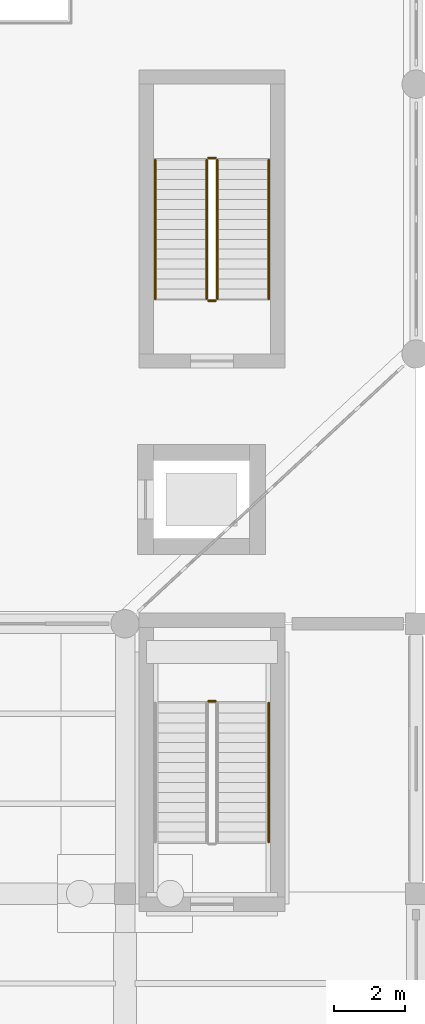
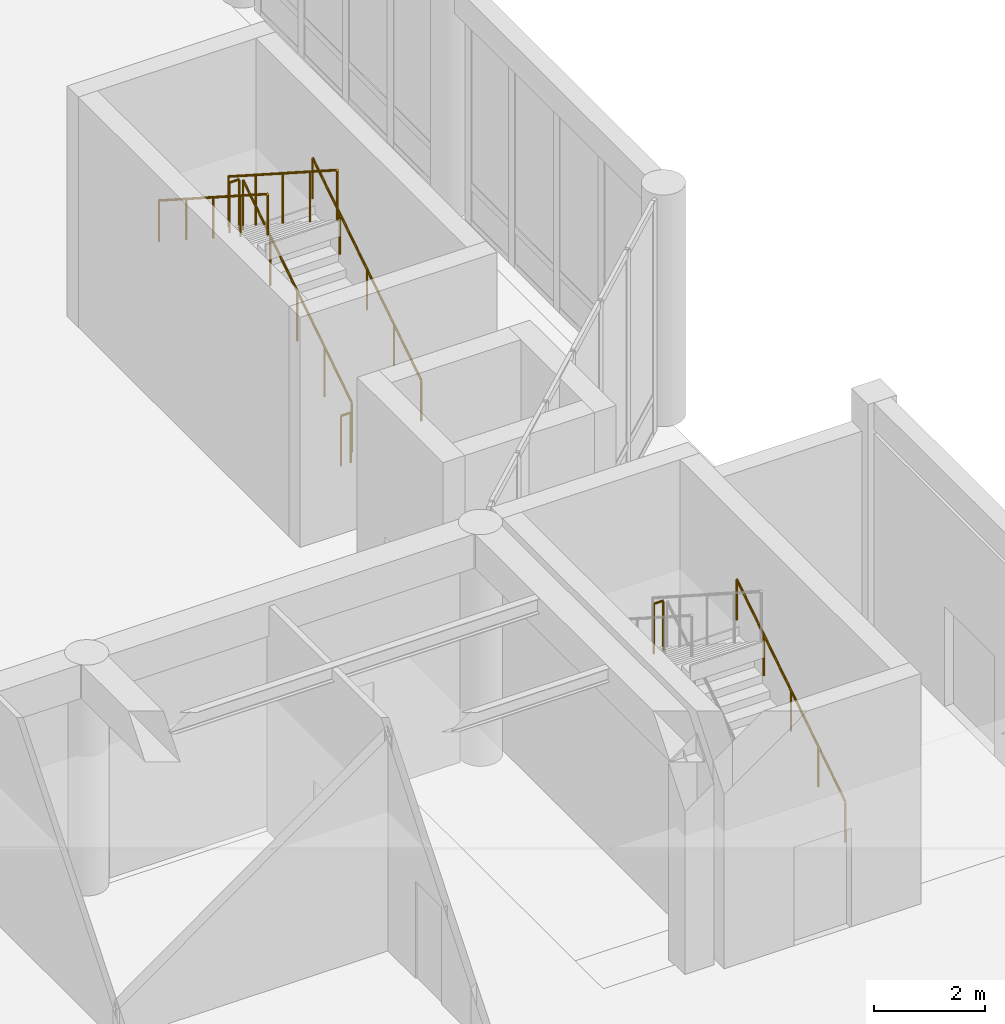
# One storey, part 56 of 64: 8 railings.
"""IFC4 building model written with IfcOpenShell, lengths in metres."""

import ifcopenshell
import ifcopenshell.guid

model = None  # the IFC model being written
_history = None  # IfcOwnerHistory: only IFC2X3 demands one
_inside = {}  # id of a spatial element -> (the spatial element, [elements in it])
_under = {}  # id of a project, library or spatial element -> (it, [spatial elements below it])
_declared = {}  # id of a project -> (the project, [libraries it declares])
_typed = {}  # id of a type object -> (the type object, [elements of that type])
_made_of = {}  # id of a material, layer set ... -> (it, [elements and type objects made of it])


def new_model(schema):
    """Start an empty IFC model of exactly this schema.

    Asked for "IFC4X3", IfcOpenShell would pick the latest addendum, in which some entities
    have other attributes; the version numbers below select the first issue.
    IFC2X3 requires an IfcOwnerHistory on every rooted entity: one is made here for all.
    """
    global model, _history
    if schema == "IFC4X3":
        model = ifcopenshell.file(schema_version=(4, 3, 0, 0))
    else:
        model = ifcopenshell.file(schema=schema)
    _inside.clear()
    _under.clear()
    _declared.clear()
    _typed.clear()
    _made_of.clear()
    _history = None
    if model.schema == "IFC2X3":
        org = make("IfcOrganization", Name="unknown")
        user = make(
            "IfcPersonAndOrganization",
            ThePerson=make("IfcPerson", FamilyName="unknown"),
            TheOrganization=org,
        )
        app = make(
            "IfcApplication",
            ApplicationDeveloper=org,
            Version="unknown",
            ApplicationFullName="unknown",
            ApplicationIdentifier="unknown",
        )
        _history = make(
            "IfcOwnerHistory",
            OwningUser=user,
            OwningApplication=app,
            ChangeAction="ADDED",
            CreationDate=0,
        )
    return model


def make(cls, **values):
    """One entity of the class cls with the attributes given. An attribute that is None is left unset."""
    return model.create_entity(
        cls, **{name: value for name, value in values.items() if value is not None}
    )


def rooted(cls, **values):
    """An entity with a GlobalId (a new one), such as an element, a storey or a relation."""
    return make(cls, GlobalId=ifcopenshell.guid.new(), OwnerHistory=_history, **values)


def si_unit(unit_type, name, prefix=None):
    """IfcSIUnit, for example si_unit("LENGTHUNIT", "METRE", prefix="MILLI")."""
    return make("IfcSIUnit", UnitType=unit_type, Prefix=prefix, Name=name)


def assignment(units):
    """IfcUnitAssignment: the units of a project."""
    return None if units is None else make("IfcUnitAssignment", Units=units)


def point(xyz):
    """IfcCartesianPoint."""
    return None if xyz is None else make("IfcCartesianPoint", Coordinates=xyz)


def direction(xyz):
    """IfcDirection."""
    return None if xyz is None else make("IfcDirection", DirectionRatios=xyz)


def frame(location, z_axis=None, x_axis=None):
    """IfcAxis2Placement3D, a coordinate frame: its origin and axes. An axis left out is left unset."""
    return make(
        "IfcAxis2Placement3D",
        Location=point(location),
        Axis=direction(z_axis),
        RefDirection=direction(x_axis),
    )


def frame_2d(location, x_axis=None):
    """IfcAxis2Placement2D, a coordinate frame in the plane: its origin and x axis."""
    return make(
        "IfcAxis2Placement2D", Location=point(location), RefDirection=direction(x_axis)
    )


def origin():
    """The frame at (0, 0, 0) with its axes left unset."""
    return frame((0.0, 0.0, 0.0))


def origin_2d():
    """The frame at (0, 0) in the plane with its x axis left unset."""
    return frame_2d((0.0, 0.0))


def place(relative_to, where):
    """IfcLocalPlacement: puts the frame where relative to a parent placement (None: the world)."""
    return make(
        "IfcLocalPlacement", PlacementRelTo=relative_to, RelativePlacement=where
    )


def context(
    kind, dimensions, precision=None, world=None, true_north=None, identifier=None
):
    """IfcGeometricRepresentationContext, for example the 3D "Model" context."""
    return make(
        "IfcGeometricRepresentationContext",
        ContextIdentifier=identifier,
        ContextType=kind,
        CoordinateSpaceDimension=dimensions,
        Precision=precision,
        WorldCoordinateSystem=world,
        TrueNorth=true_north,
    )


def subcontext(parent, identifier, kind, view, scale=None):
    """IfcGeometricRepresentationSubContext, for example "Body" below "Model"."""
    return make(
        "IfcGeometricRepresentationSubContext",
        ContextIdentifier=identifier,
        ContextType=kind,
        ParentContext=parent,
        TargetScale=scale,
        TargetView=view,
    )


def project(units=None, contexts=None):
    """IfcProject with its units and contexts."""
    return rooted(
        "IfcProject",
        Name="project",
        RepresentationContexts=contexts,
        UnitsInContext=assignment(units),
    )


def spatial(cls, under=None, at=None, **own):
    """A site, building, storey or space (cls), placed at a placement, below another one or the project."""
    s = rooted(cls, ObjectPlacement=at, **own)
    if under is not None:
        _under.setdefault(under.id(), (under, []))[1].append(s)
    return s


def profile(cls, at=None, kind="AREA", **sizes):
    """A parametric profile (cls). Its sizes go by their IFC names, for example OverallWidth=200.0."""
    return make(cls, ProfileType=kind, Position=at, **sizes)


def circle(**sizes):
    """IfcCircleProfileDef."""
    return profile("IfcCircleProfileDef", **sizes)


def extrude(swept, where, along, depth):
    """IfcExtrudedAreaSolid: the profile swept, set in the frame where, extruded along a direction by depth."""
    return make(
        "IfcExtrudedAreaSolid",
        SweptArea=swept,
        Position=where,
        ExtrudedDirection=direction(along),
        Depth=depth,
    )


def shape(context_of_items, identifier, shape_type, items):
    """IfcShapeRepresentation: the items that make up one representation, for example the "Body"."""
    return make(
        "IfcShapeRepresentation",
        ContextOfItems=context_of_items,
        RepresentationIdentifier=identifier,
        RepresentationType=shape_type,
        Items=items,
    )


def material(Name=None, Category=None):
    """IfcMaterial."""
    return make("IfcMaterial", Name=Name, Category=Category)


def made_of(thing, what):
    """Note that an element or type object is made of a material, layer set ...; save() writes the relation."""
    if what is not None:
        _made_of.setdefault(what.id(), (what, []))[1].append(thing)
    return thing


def type_object(cls, material=None, **own):
    """A type object (cls), such as IfcWallType, which elements share."""
    return made_of(rooted(cls, **own), material)


def element(
    cls,
    number,
    at=None,
    inside=None,
    cuts=None,
    type_object=None,
    material=None,
    context=None,
    identifier="Body",
    shape_type=None,
    held_by="IfcProductDefinitionShape",
    body=None,
    shapes=None,
    **own,
):
    """One element of the class cls, such as IfcWall. Its Tag is "e" and its number.

    at: its placement. inside: the storey or other place that contains it. cuts: it is an
    opening in that element (IfcRelVoidsElement). A single representation is given by context,
    identifier, shape_type and body (its items); several are given by shapes. held_by: the class
    of the entity that holds the representations. save() writes the other relations.
    """
    e = rooted(cls, Tag="e%d" % number, ObjectPlacement=at, **own)
    if body is not None:
        shapes = [shape(context, identifier, shape_type, body)]
    if shapes is not None:
        e.Representation = make(held_by, Representations=shapes)
    if inside is not None:
        _inside.setdefault(inside.id(), (inside, []))[1].append(e)
    if cuts is not None:
        rooted(
            "IfcRelVoidsElement", RelatingBuildingElement=cuts, RelatedOpeningElement=e
        )
    if type_object is not None:
        _typed.setdefault(type_object.id(), (type_object, []))[1].append(e)
    return made_of(e, material)


def aggregate(whole, parts):
    """IfcRelAggregates: a whole, such as a stair, and the parts it consists of."""
    return rooted("IfcRelAggregates", RelatingObject=whole, RelatedObjects=parts)


def save(model, path):
    """Write the relations noted so far, then the file.

    IfcRelAggregates (storeys below a building ...), IfcRelContainedInSpatialStructure (elements
    in a storey), IfcRelDefinesByType, IfcRelAssociatesMaterial and IfcRelDeclares: one each for
    every whole, place, type object, material and project.
    """
    for whole, parts in _under.values():
        aggregate(whole, parts)
    for where, things in _inside.values():
        rooted(
            "IfcRelContainedInSpatialStructure",
            RelatedElements=things,
            RelatingStructure=where,
        )
    for kind, things in _typed.values():
        rooted("IfcRelDefinesByType", RelatedObjects=things, RelatingType=kind)
    for what, things in _made_of.values():
        rooted("IfcRelAssociatesMaterial", RelatedObjects=things, RelatingMaterial=what)
    for by, libraries in _declared.values():
        rooted("IfcRelDeclares", RelatingContext=by, RelatedDefinitions=libraries)
    model.write(path)


model = new_model("IFC4")

# Units and contexts
model_context = context("Model", 3, precision=1e-05, world=origin(), true_north=direction((0.0, 1.0)))
body_context = subcontext(model_context, "Body", "Model", "MODEL_VIEW")
ifc_project = project(units=[si_unit("LENGTHUNIT", "METRE"), si_unit("AREAUNIT", "SQUARE_METRE"), si_unit("VOLUMEUNIT", "CUBIC_METRE"), si_unit("PLANEANGLEUNIT", "RADIAN"), si_unit("MASSUNIT", "GRAM", prefix="KILO")], contexts=[model_context])

# Site, building, storey
site_placement = place(None, origin())
site = spatial("IfcSite", under=ifc_project, at=site_placement, CompositionType="ELEMENT")
building_placement = place(site_placement, origin())
building = spatial("IfcBuilding", under=site, at=building_placement, Name="Qandaris Square Conservatory and Botanical Centre", CompositionType="ELEMENT")
storey_placement = place(building_placement, origin())
storey = spatial("IfcBuildingStorey", under=building, at=storey_placement, Name="L00", CompositionType="ELEMENT", Elevation=0.0)

# Railings
ifc_material = material(Name="Stainless Steel", Category="steel")
railing_type_1 = type_object("IfcRailingType", Name="Stair Tubular Handrail 920mm", PredefinedType="HANDRAIL", material=ifc_material)
railing_1_placement = place(storey_placement, frame((53.050048828125, 40.85009765625, 0.360107421875)))
element("IfcRailing", 1, at=railing_1_placement, inside=storey, type_object=railing_type_1, Name="L00 ST-4 stair handrail 1", PredefinedType="HANDRAIL", context=body_context, shape_type="SweptSolid", body=[
    extrude(circle(Radius=0.02392578125, at=origin_2d()), frame((0.0, 0.0, 0.89599609375), z_axis=(0.0, 0.84119549742, 0.540731111663), x_axis=(-1.0, 0.0, 0.0)), (0.0, 0.0, 1.0), 4.659912109375),
    extrude(circle(Radius=0.02099609375, at=origin_2d()), origin(), (0.0, 0.0, 1.0), 0.871826171875),
    extrude(circle(Radius=0.02099609375, at=origin_2d()), frame((0.0, 0.97998046875, 0.6298828125)), (0.0, 0.0, 1.0), 0.871826171875),
    extrude(circle(Radius=0.02099609375, at=origin_2d()), frame((0.0, 1.9599609375, 1.259765625)), (0.0, 0.0, 1.0), 0.871826171875),
    extrude(circle(Radius=0.02099609375, at=origin_2d()), frame((0.0, 2.93994140625, 1.889892578125)), (0.0, 0.0, 1.0), 0.871826171875),
    extrude(circle(Radius=0.02099609375, at=origin_2d()), frame((0.0, 3.919921875, 2.519775390625)), (0.0, 0.0, 1.0), 0.871826171875),
])
railing_2_placement = place(storey_placement, frame((53.050048828125, 56.14990234375, 0.360107421875)))
element("IfcRailing", 2, at=railing_2_placement, inside=storey, type_object=railing_type_1, Name="L00 ST-5 stair handrail 1", PredefinedType="HANDRAIL", context=body_context, shape_type="SweptSolid", body=[
    extrude(circle(Radius=0.02392578125, at=origin_2d()), frame((0.0, 0.0, 0.89599609375), z_axis=(0.0, 0.841210815121, 0.540707281738), x_axis=(-1.0, 0.0, 0.0)), (0.0, 0.0, 1.0), 4.66015625),
    extrude(circle(Radius=0.02099609375, at=origin_2d()), origin(), (0.0, 0.0, 1.0), 0.871826171875),
    extrude(circle(Radius=0.02099609375, at=origin_2d()), frame((0.0, 0.97998046875, 0.6298828125)), (0.0, 0.0, 1.0), 0.871826171875),
    extrude(circle(Radius=0.02099609375, at=origin_2d()), frame((0.0, 1.9599609375, 1.259765625)), (0.0, 0.0, 1.0), 0.871826171875),
    extrude(circle(Radius=0.02099609375, at=origin_2d()), frame((0.0, 2.940185546875, 1.889892578125)), (0.0, 0.0, 1.0), 0.871826171875),
    extrude(circle(Radius=0.02099609375, at=origin_2d()), frame((0.0, 3.920166015625, 2.519775390625)), (0.0, 0.0, 1.0), 0.871826171875),
])
railing_3_placement = place(storey_placement, frame((49.85009765625, 60.070068359375, 3.06005859375)))
element("IfcRailing", 3, at=railing_3_placement, inside=storey, type_object=railing_type_1, Name="L00 ST-5 stair handrail 2", PredefinedType="HANDRAIL", context=body_context, shape_type="SweptSolid", body=[
    extrude(circle(Radius=0.02392578125, at=origin_2d()), frame((0.0, 0.0, 0.89599609375), z_axis=(0.0, -0.841186985886, 0.540744352514), x_axis=(1.0, 0.0, 0.0)), (0.0, 0.0, 1.0), 4.660400390625),
    extrude(circle(Radius=0.02099609375, at=origin_2d()), origin(), (0.0, 0.0, 1.0), 0.871826171875),
    extrude(circle(Radius=0.02099609375, at=origin_2d()), frame((0.0, -0.97998046875, 0.6298828125)), (0.0, 0.0, 1.0), 0.871826171875),
    extrude(circle(Radius=0.02099609375, at=origin_2d()), frame((0.0, -1.9599609375, 1.260009765625)), (0.0, 0.0, 1.0), 0.871826171875),
    extrude(circle(Radius=0.02099609375, at=origin_2d()), frame((0.0, -2.940185546875, 1.89013671875)), (0.0, 0.0, 1.0), 0.871826171875),
    extrude(circle(Radius=0.02099609375, at=origin_2d()), frame((0.0, -3.920166015625, 2.52001953125)), (0.0, 0.0, 1.0), 0.871826171875),
])
railing_type_2 = type_object("IfcRailingType", Name="Stairwell & Atrium Guardrail 1120mm", PredefinedType="GUARDRAIL", material=ifc_material)
railing_4_placement = place(storey_placement, frame((51.550048828125, 44.820068359375, 2.699951171875)))
element("IfcRailing", 4, at=railing_4_placement, inside=storey, type_object=railing_type_2, Name="L00 ST-4 stair guard 2", PredefinedType="GUARDRAIL", context=body_context, shape_type="SweptSolid", body=[
    extrude(circle(Radius=0.02392578125, at=origin_2d()), frame((0.0, 0.0, 1.09619140625), z_axis=(-1.0, 0.0, 0.0), x_axis=(0.0, -1.0, 0.0)), (0.0, 0.0, 1.0), 0.199951171875),
    extrude(circle(Radius=0.02099609375, at=origin_2d()), origin(), (0.0, 0.0, 1.0), 1.072021484375),
    extrude(circle(Radius=0.02099609375, at=origin_2d()), frame((-0.199951171875, 0.0, 0.0)), (0.0, 0.0, 1.0), 1.072021484375),
])
railing_5_placement = place(storey_placement, frame((51.60009765625, 56.14990234375, 0.179931640625)))
element("IfcRailing", 5, at=railing_5_placement, inside=storey, type_object=railing_type_2, Name="L00 ST-5 stair guard 1", PredefinedType="GUARDRAIL", context=body_context, shape_type="SweptSolid", body=[
    extrude(circle(Radius=0.02392578125, at=origin_2d()), frame((0.0, 0.0, 1.09619140625), z_axis=(0.0, 0.841186985886, 0.540744352514), x_axis=(-1.0, 0.0, 0.0)), (0.0, 0.0, 1.0), 4.660400390625),
    extrude(circle(Radius=0.02099609375, at=origin_2d()), origin(), (0.0, 0.0, 1.0), 1.072021484375),
    extrude(circle(Radius=0.02099609375, at=origin_2d()), frame((0.0, 0.97998046875, 0.6298828125)), (0.0, 0.0, 1.0), 1.072021484375),
    extrude(circle(Radius=0.02099609375, at=origin_2d()), frame((0.0, 1.9599609375, 1.260009765625)), (0.0, 0.0, 1.0), 1.072021484375),
    extrude(circle(Radius=0.02099609375, at=origin_2d()), frame((0.0, 2.940185546875, 1.89013671875)), (0.0, 0.0, 1.0), 1.072021484375),
    extrude(circle(Radius=0.02099609375, at=origin_2d()), frame((0.0, 3.920166015625, 2.52001953125)), (0.0, 0.0, 1.0), 1.072021484375),
])
railing_6_placement = place(storey_placement, frame((51.550048828125, 60.1201171875, 2.699951171875)))
element("IfcRailing", 6, at=railing_6_placement, inside=storey, type_object=railing_type_2, Name="L00 ST-5 stair guard 2", PredefinedType="GUARDRAIL", context=body_context, shape_type="SweptSolid", body=[
    extrude(circle(Radius=0.02392578125, at=origin_2d()), frame((0.0, 0.0, 1.09619140625), z_axis=(-1.0, 0.0, 0.0), x_axis=(0.0, -1.0, 0.0)), (0.0, 0.0, 1.0), 0.199951171875),
    extrude(circle(Radius=0.02099609375, at=origin_2d()), origin(), (0.0, 0.0, 1.0), 1.072021484375),
    extrude(circle(Radius=0.02099609375, at=origin_2d()), frame((-0.199951171875, 0.0, 0.0)), (0.0, 0.0, 1.0), 1.072021484375),
])
railing_7_placement = place(storey_placement, frame((51.300048828125, 60.070068359375, 2.8798828125)))
element("IfcRailing", 7, at=railing_7_placement, inside=storey, type_object=railing_type_2, Name="L00 ST-5 stair guard 3", PredefinedType="GUARDRAIL", context=body_context, shape_type="SweptSolid", body=[
    extrude(circle(Radius=0.02392578125, at=origin_2d()), frame((0.0, 0.0, 1.09619140625), z_axis=(0.0, -0.841186985886, 0.540744352514), x_axis=(1.0, 0.0, 0.0)), (0.0, 0.0, 1.0), 4.660400390625),
    extrude(circle(Radius=0.02099609375, at=origin_2d()), origin(), (0.0, 0.0, 1.0), 1.072021484375),
    extrude(circle(Radius=0.02099609375, at=origin_2d()), frame((0.0, -0.97998046875, 0.6298828125)), (0.0, 0.0, 1.0), 1.072021484375),
    extrude(circle(Radius=0.02099609375, at=origin_2d()), frame((0.0, -1.9599609375, 1.260009765625)), (0.0, 0.0, 1.0), 1.072021484375),
    extrude(circle(Radius=0.02099609375, at=origin_2d()), frame((0.0, -2.940185546875, 1.89013671875)), (0.0, 0.0, 1.0), 1.072021484375),
    extrude(circle(Radius=0.02099609375, at=origin_2d()), frame((0.0, -3.920166015625, 2.52001953125)), (0.0, 0.0, 1.0), 1.072021484375),
])
railing_8_placement = place(storey_placement, frame((51.550048828125, 56.10009765625, 0.0)))
element("IfcRailing", 8, at=railing_8_placement, inside=storey, type_object=railing_type_2, Name="L00 ST-5 stair guard 4", PredefinedType="GUARDRAIL", context=body_context, shape_type="SweptSolid", body=[
    extrude(circle(Radius=0.02392578125, at=origin_2d()), frame((0.0, 0.0, 1.09619140625), z_axis=(-1.0, 0.0, 0.0), x_axis=(0.0, -1.0, 0.0)), (0.0, 0.0, 1.0), 0.199951171875),
    extrude(circle(Radius=0.02099609375, at=origin_2d()), origin(), (0.0, 0.0, 1.0), 1.072021484375),
    extrude(circle(Radius=0.02099609375, at=origin_2d()), frame((-0.199951171875, 0.0, 0.0)), (0.0, 0.0, 1.0), 1.072021484375),
])

save(model, "model.ifc")
